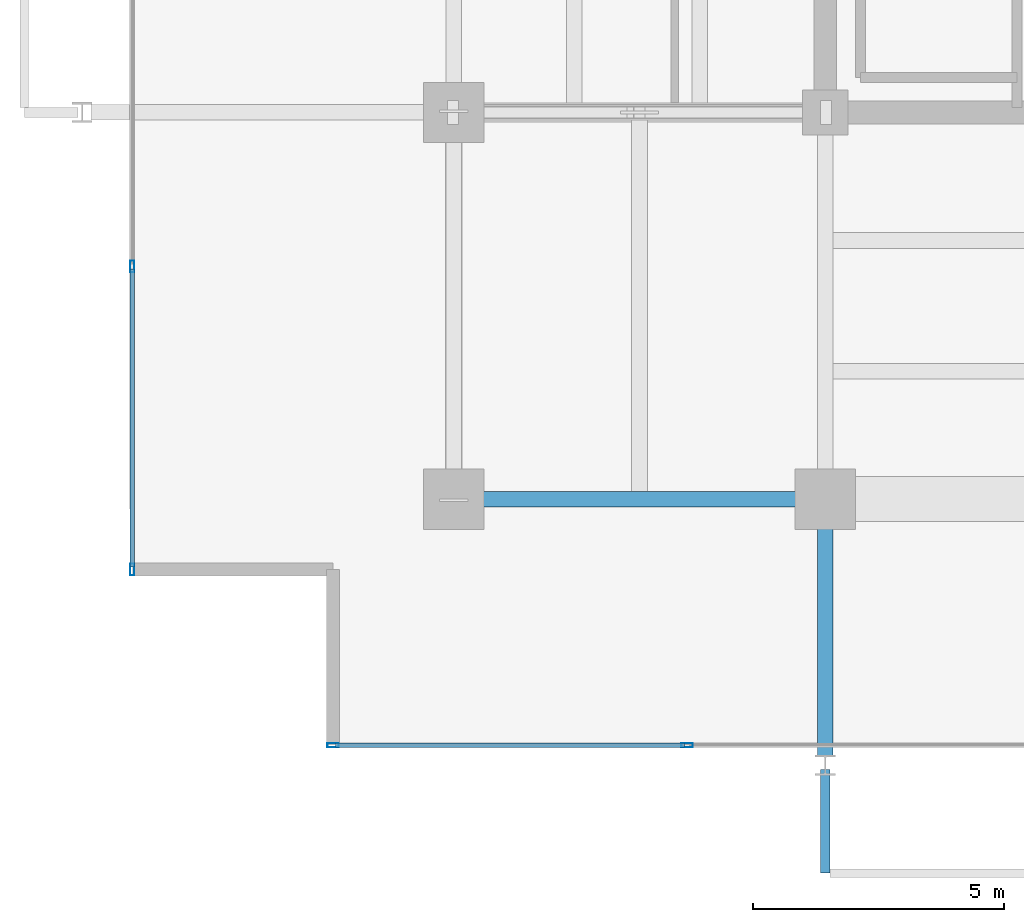
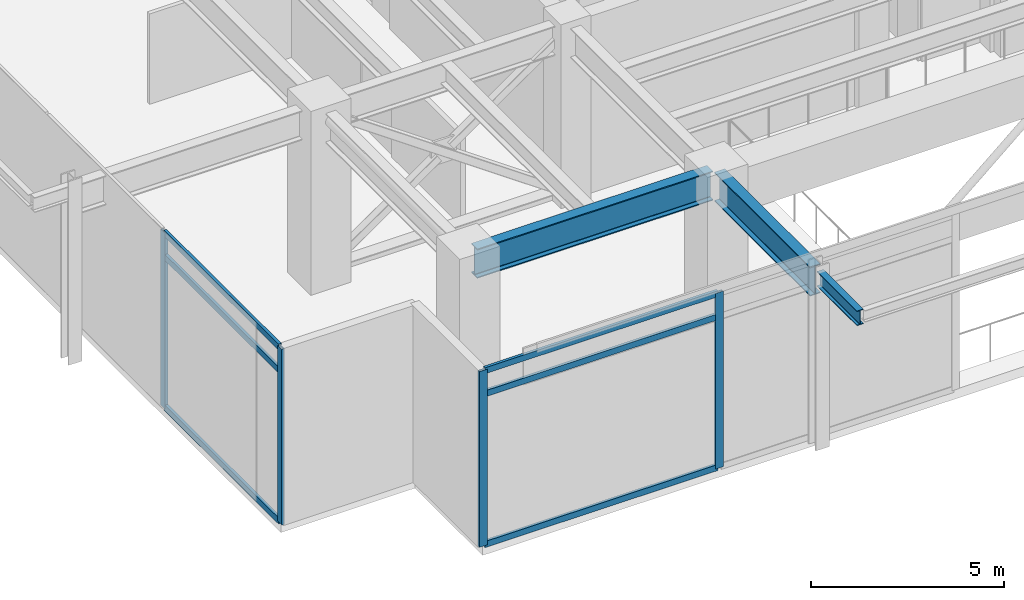
# One storey, part 2 of 26: 10 members, 3 beams, 2 elements without a shape of their own.
"""IFC4 building model written with IfcOpenShell, lengths in metres."""

from ifc_helpers import new_model, si_unit, direction, frame, origin, origin_2d, place, context, subcontext, project, spatial, hollow_rectangle, i_section, extrude, material, material_profile, profile_set, type_object, element, aggregate, save


model = new_model("IFC4")

# Units and contexts
model_context = context("Model", 3, precision=1e-05, world=origin(), true_north=direction((0.0, 1.0)))
body_context = subcontext(model_context, "Body", "Model", "MODEL_VIEW")
ifc_project = project(units=[si_unit("LENGTHUNIT", "METRE"), si_unit("AREAUNIT", "SQUARE_METRE"), si_unit("VOLUMEUNIT", "CUBIC_METRE"), si_unit("PLANEANGLEUNIT", "RADIAN"), si_unit("MASSUNIT", "GRAM", prefix="KILO")], contexts=[model_context])

# Site, building, storey
site_placement = place(None, origin())
site = spatial("IfcSite", under=ifc_project, at=site_placement, CompositionType="ELEMENT")
building_placement = place(site_placement, origin())
building = spatial("IfcBuilding", under=site, at=building_placement, Name="Kovane Verandah Tower", CompositionType="ELEMENT")
storey_placement = place(building_placement, frame((0.0, 0.0, 301.0)))
storey = spatial("IfcBuildingStorey", under=building, at=storey_placement, Name="L70", CompositionType="ELEMENT", Elevation=301.0)

# Beams
ifc_material_1 = material(Name="Steel S460", Category="steel")
ifc_material_profile_1 = material_profile(ifc_material_1, i_section(OverallWidth=0.3076171875, OverallDepth=0.926513671875, WebThickness=0.01953125, FlangeThickness=0.031982421875, FilletRadius=0.01904296875, at=origin_2d()), Name="UB914x305x289")
ifc_profile_set_1 = profile_set([ifc_material_profile_1], Name="Steel S460")
beam_type_1 = type_object("IfcBeamType", Name="BM-UB914x289", PredefinedType="BEAM", material=ifc_profile_set_1)
beam_1_placement = place(storey_placement, frame((21.780029296875, 10.800048828125, 5.12158203125), z_axis=(1.0, 0.0, 0.0), x_axis=(0.0, 1.0, 0.0)))
element("IfcBeam", 1, at=beam_1_placement, inside=storey, type_object=beam_type_1, Name="L70 Primary Tower Girder G-RS1", PredefinedType="BEAM", context=body_context, shape_type="SweptSolid", body=[
    extrude(i_section(OverallWidth=0.3076171875, OverallDepth=0.926513671875, WebThickness=0.01953125, FlangeThickness=0.031982421875, FilletRadius=0.01904296875, at=origin_2d()), origin(), (0.0, 0.0, 1.0), 7.0400390625),
])
beam_2_placement = place(storey_placement, frame((29.0, 10.6201171875, 5.0966796875), z_axis=(0.0, -1.0, 0.0), x_axis=(1.0, 0.0, 0.0)))
element("IfcBeam", 2, at=beam_2_placement, inside=storey, type_object=beam_type_1, Name="L70 Primary Tower Girder G-VS1", PredefinedType="BEAM", context=body_context, shape_type="SweptSolid", body=[
    extrude(i_section(OverallWidth=0.3076171875, OverallDepth=0.926513671875, WebThickness=0.01953125, FlangeThickness=0.031982421875, FilletRadius=0.01904296875, at=origin_2d()), origin(), (0.0, 0.0, 1.0), 4.940185546875),
])

# Curtain wall, members
ifc_material_2 = material(Name="Champagne Anodised Aluminium Frame with Low-E Clear Laminated Glass", Category="aluminium")
curtain_wall_type = type_object("IfcCurtainWallType", Name="CW-SYS-05-HIGH", PredefinedType="NOTDEFINED", material=ifc_material_2)
curtain_wall_1_placement = place(storey_placement, origin())
curtain_wall_1 = element("IfcCurtainWall", 3, at=curtain_wall_1_placement, inside=storey, type_object=curtain_wall_type, Name="L70 South-West Wind-Portal Curtain Wall 1", PredefinedType="NOTDEFINED")
ifc_material_3 = material(Name="Champagne Anodised Aluminium 6063-T6", Category="aluminium")
ifc_material_profile_2 = material_profile(ifc_material_3, hollow_rectangle(XDim=0.0849609375, YDim=0.22998046875, WallThickness=0.00390625, at=origin_2d()), Name="AL85x230x4")
ifc_profile_set_2 = profile_set([ifc_material_profile_2], Name="Champagne Anodised Aluminium 6063-T6")
member_type_1 = type_object("IfcMemberType", Name="CW-MUL-85x230", PredefinedType="MULLION", material=ifc_profile_set_2)
member_1_placement = place(storey_placement, frame((19.199951171875, 5.89990234375, 0.02001953125), z_axis=(0.0, 0.0, 1.0), x_axis=(0.0, -1.0, 0.0)))
member_1 = element("IfcMember", 4, at=member_1_placement, type_object=member_type_1, Name="L70 South-West Wind-Portal Curtain Wall 1 Mullion 1", PredefinedType="MULLION", context=body_context, shape_type="SweptSolid", body=[
    extrude(hollow_rectangle(XDim=0.0849609375, YDim=0.22998046875, WallThickness=0.00390625, at=origin_2d()), origin(), (0.0, 0.0, 1.0), 5.544921875),
])
member_2_placement = place(storey_placement, frame((26.25, 5.89990234375, 0.02001953125), z_axis=(0.0, 0.0, 1.0), x_axis=(0.0, -1.0, 0.0)))
member_2 = element("IfcMember", 5, at=member_2_placement, type_object=member_type_1, Name="L70 South-West Wind-Portal Curtain Wall 1 Mullion 2", PredefinedType="MULLION", context=body_context, shape_type="SweptSolid", body=[
    extrude(hollow_rectangle(XDim=0.0849609375, YDim=0.22998046875, WallThickness=0.00390625, at=origin_2d()), origin(), (0.0, 0.0, 1.0), 5.544921875),
])

curtain_wall_2_placement = place(storey_placement, origin())
curtain_wall_2 = element("IfcCurtainWall", 6, at=curtain_wall_2_placement, inside=storey, type_object=curtain_wall_type, Name="L70 W Unitised Curtain Wall", PredefinedType="NOTDEFINED")
member_3_placement = place(storey_placement, frame((15.199951171875, 15.433349609375, 0.02001953125), z_axis=(0.0, 0.0, 1.0), x_axis=(-1.0, 0.0, 0.0)))
member_3 = element("IfcMember", 7, at=member_3_placement, type_object=member_type_1, Name="L70 W Unitised Curtain Wall Mullion 6", PredefinedType="MULLION", context=body_context, shape_type="SweptSolid", body=[
    extrude(hollow_rectangle(XDim=0.0849609375, YDim=0.22998046875, WallThickness=0.00390625, at=origin_2d()), origin(), (0.0, 0.0, 1.0), 5.544921875),
])
member_4_placement = place(storey_placement, frame((15.199951171875, 9.39990234375, 0.02001953125), z_axis=(0.0, 0.0, 1.0), x_axis=(-1.0, 0.0, 0.0)))
member_4 = element("IfcMember", 8, at=member_4_placement, type_object=member_type_1, Name="L70 W Unitised Curtain Wall Mullion 7", PredefinedType="MULLION", context=body_context, shape_type="SweptSolid", body=[
    extrude(hollow_rectangle(XDim=0.0849609375, YDim=0.22998046875, WallThickness=0.00390625, at=origin_2d()), origin(), (0.0, 0.0, 1.0), 5.544921875),
])

# Member
ifc_material_profile_3 = material_profile(ifc_material_3, hollow_rectangle(XDim=0.0849609375, YDim=0.18994140625, WallThickness=0.00390625, at=origin_2d()), Name="AL85x190x4")
ifc_profile_set_3 = profile_set([ifc_material_profile_3], Name="Champagne Anodised Aluminium 6063-T6")
member_type_2 = type_object("IfcMemberType", Name="CW-TRN-85x190", PredefinedType="USERDEFINED", material=ifc_profile_set_3)
member_5_placement = place(storey_placement, frame((19.25, 5.89990234375, 0.050048828125), z_axis=(1.0, 0.0, 0.0), x_axis=(0.0, 1.0, 0.0)))
member_5 = element("IfcMember", 9, at=member_5_placement, type_object=member_type_2, Name="L70 South-West Wind-Portal Curtain Wall 1 Transom TB Bay 1", ObjectType="TRANSOM", PredefinedType="USERDEFINED", context=body_context, shape_type="SweptSolid", body=[
    extrude(hollow_rectangle(XDim=0.0849609375, YDim=0.18994140625, WallThickness=0.00390625, at=origin_2d()), origin(), (0.0, 0.0, 1.0), 6.949951171875),
])

member_6_placement = place(storey_placement, frame((19.25, 5.89990234375, 4.804931640625), z_axis=(1.0, 0.0, 0.0), x_axis=(0.0, 1.0, 0.0)))
member_6 = element("IfcMember", 10, at=member_6_placement, type_object=member_type_2, Name="L70 South-West Wind-Portal Curtain Wall 1 Transom TM Bay 1", ObjectType="TRANSOM", PredefinedType="USERDEFINED", context=body_context, shape_type="SweptSolid", body=[
    extrude(hollow_rectangle(XDim=0.0849609375, YDim=0.18994140625, WallThickness=0.00390625, at=origin_2d()), origin(), (0.0, 0.0, 1.0), 6.949951171875),
])

member_7_placement = place(storey_placement, frame((19.25, 5.89990234375, 5.534912109375), z_axis=(1.0, 0.0, 0.0), x_axis=(0.0, 1.0, 0.0)))
member_7 = element("IfcMember", 11, at=member_7_placement, type_object=member_type_2, Name="L70 South-West Wind-Portal Curtain Wall 1 Transom TT Bay 1", ObjectType="TRANSOM", PredefinedType="USERDEFINED", context=body_context, shape_type="SweptSolid", body=[
    extrude(hollow_rectangle(XDim=0.0849609375, YDim=0.18994140625, WallThickness=0.00390625, at=origin_2d()), origin(), (0.0, 0.0, 1.0), 6.949951171875),
])

aggregate(curtain_wall_1, [member_1, member_2, member_5, member_6, member_7])

member_8_placement = place(storey_placement, frame((15.199951171875, 15.38330078125, 0.050048828125), z_axis=(0.0, -1.0, 0.0), x_axis=(1.0, 0.0, 0.0)))
member_8 = element("IfcMember", 12, at=member_8_placement, type_object=member_type_2, Name="L70 W Unitised Curtain Wall Transom TB Bay 6", ObjectType="TRANSOM", PredefinedType="USERDEFINED", context=body_context, shape_type="SweptSolid", body=[
    extrude(hollow_rectangle(XDim=0.0849609375, YDim=0.18994140625, WallThickness=0.00390625, at=origin_2d()), origin(), (0.0, 0.0, 1.0), 5.933349609375),
])

member_9_placement = place(storey_placement, frame((15.199951171875, 15.38330078125, 4.804931640625), z_axis=(0.0, -1.0, 0.0), x_axis=(1.0, 0.0, 0.0)))
member_9 = element("IfcMember", 13, at=member_9_placement, type_object=member_type_2, Name="L70 W Unitised Curtain Wall Transom TM Bay 6", ObjectType="TRANSOM", PredefinedType="USERDEFINED", context=body_context, shape_type="SweptSolid", body=[
    extrude(hollow_rectangle(XDim=0.0849609375, YDim=0.18994140625, WallThickness=0.00390625, at=origin_2d()), origin(), (0.0, 0.0, 1.0), 5.933349609375),
])

member_10_placement = place(storey_placement, frame((15.199951171875, 15.38330078125, 5.534912109375), z_axis=(0.0, -1.0, 0.0), x_axis=(1.0, 0.0, 0.0)))
member_10 = element("IfcMember", 14, at=member_10_placement, type_object=member_type_2, Name="L70 W Unitised Curtain Wall Transom TT Bay 6", ObjectType="TRANSOM", PredefinedType="USERDEFINED", context=body_context, shape_type="SweptSolid", body=[
    extrude(hollow_rectangle(XDim=0.0849609375, YDim=0.18994140625, WallThickness=0.00390625, at=origin_2d()), origin(), (0.0, 0.0, 1.0), 5.933349609375),
])

aggregate(curtain_wall_2, [member_3, member_4, member_8, member_9, member_10])

# Beam
ifc_material_4 = material(Name="Steel S355", Category="steel")
ifc_material_profile_4 = material_profile(ifc_material_4, i_section(OverallWidth=0.19287109375, OverallDepth=0.46728515625, WebThickness=0.011474609375, FlangeThickness=0.01953125, FilletRadius=0.01025390625, at=origin_2d()), Name="UB457x191x98")
ifc_profile_set_4 = profile_set([ifc_material_profile_4], Name="Steel S355")
beam_type_2 = type_object("IfcBeamType", Name="JST-UB457x98", PredefinedType="JOIST", material=ifc_profile_set_4)
beam_3_placement = place(storey_placement, frame((29.0, 5.419921875, 5.326416015625), z_axis=(0.0, -1.0, 0.0), x_axis=(1.0, 0.0, 0.0)))
element("IfcBeam", 15, at=beam_3_placement, inside=storey, type_object=beam_type_2, Name="L70 South Planter Girder 1", PredefinedType="JOIST", context=body_context, shape_type="SweptSolid", body=[
    extrude(i_section(OverallWidth=0.19287109375, OverallDepth=0.46728515625, WebThickness=0.011474609375, FlangeThickness=0.01953125, FilletRadius=0.01025390625, at=origin_2d()), origin(), (0.0, 0.0, 1.0), 2.06982421875),
])

save(model, "model.ifc")
